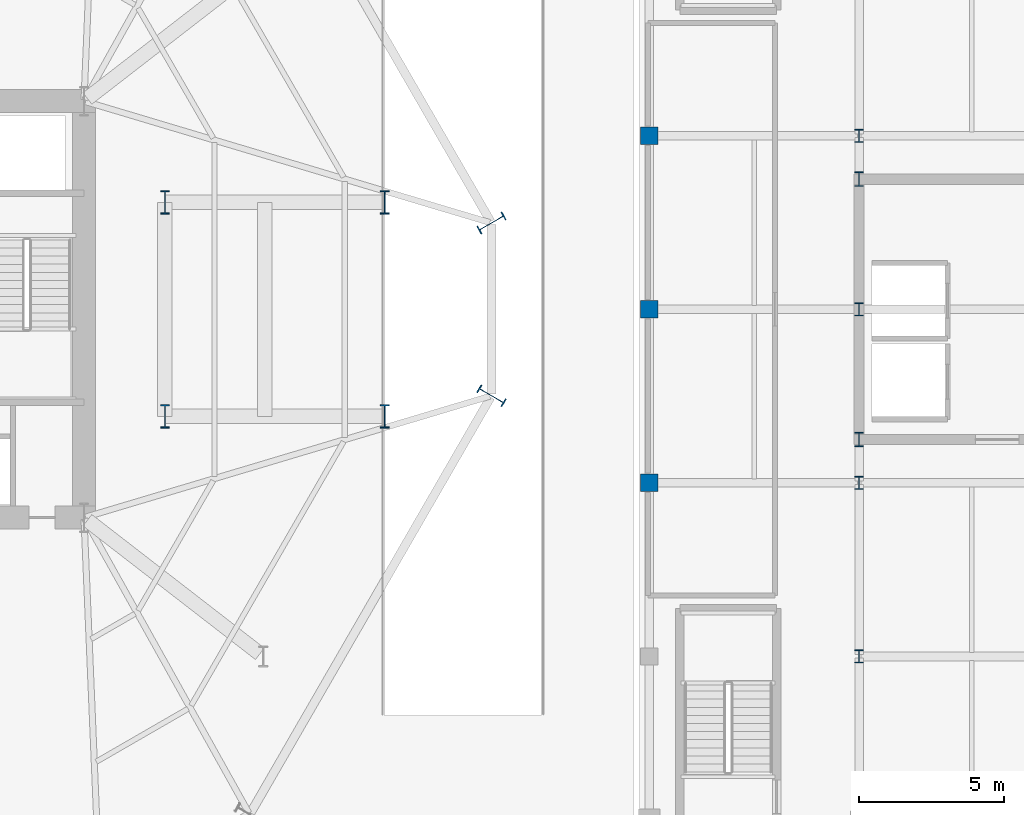
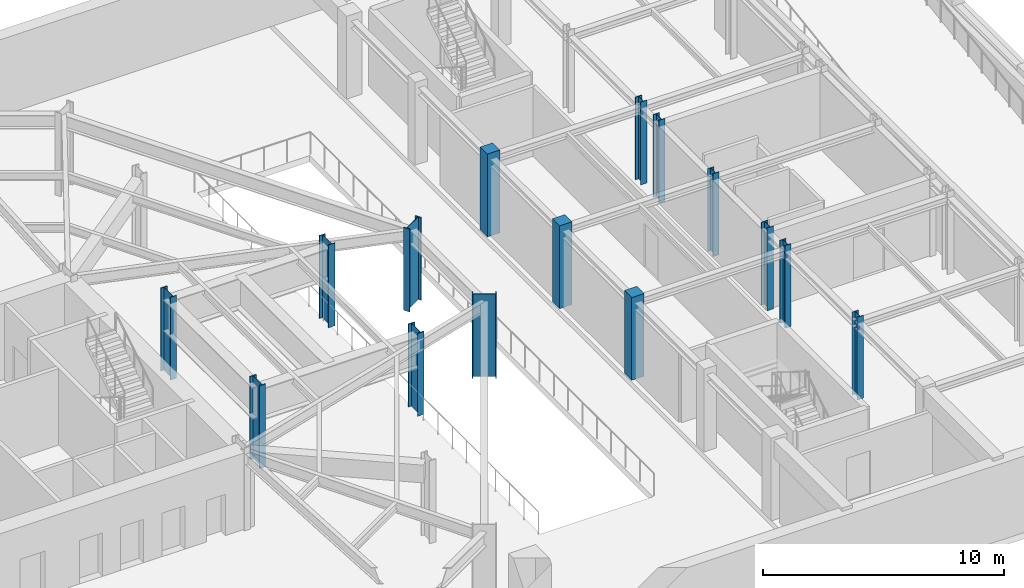
# One storey, part 2 of 12: 15 columns.
"""IFC4 building model written with IfcOpenShell, lengths in metres."""

from ifc_helpers import new_model, si_unit, direction, frame, origin, origin_2d, place, context, subcontext, project, spatial, rectangle, i_section, extrude, material, material_profile, profile_set, type_object, element, save


model = new_model("IFC4")

# Units and contexts
model_context = context("Model", 3, precision=1e-05, world=origin(), true_north=direction((0.0, 1.0)))
body_context = subcontext(model_context, "Body", "Model", "MODEL_VIEW")
ifc_project = project(units=[si_unit("LENGTHUNIT", "METRE"), si_unit("AREAUNIT", "SQUARE_METRE"), si_unit("VOLUMEUNIT", "CUBIC_METRE"), si_unit("PLANEANGLEUNIT", "RADIAN"), si_unit("MASSUNIT", "GRAM", prefix="KILO")], contexts=[model_context])

# Site, building, storey
site_placement = place(None, origin())
site = spatial("IfcSite", under=ifc_project, at=site_placement, CompositionType="ELEMENT")
building_placement = place(site_placement, origin())
building = spatial("IfcBuilding", under=site, at=building_placement, Name="Kranzbogen Civic Tower", CompositionType="ELEMENT")
storey_placement = place(building_placement, frame((0.0, 0.0, -4.199951171875)))
storey = spatial("IfcBuildingStorey", under=building, at=storey_placement, Name="B01", CompositionType="ELEMENT", Elevation=-4.199951171875)

# Columns
ifc_material_1 = material(Name="Steel S355", Category="steel")
ifc_material_profile_1 = material_profile(ifc_material_1, i_section(OverallWidth=0.300048828125, OverallDepth=0.449951171875, WebThickness=0.013916015625, FlangeThickness=0.02587890625, at=origin_2d()), Name="HEB 450")
ifc_profile_set_1 = profile_set([ifc_material_profile_1], Name="Steel S355")
column_type_1 = type_object("IfcColumnType", Name="Structural Column HEB 450", PredefinedType="COLUMN", material=ifc_profile_set_1)
for number, where, z_axis, x_axis, name in (
    (1, (59.60009765625, 13.0, 0.0), (0.0, 0.0, 1.0), (1.0, 0.0, 0.0), "B01 Health Centre column 11/C"),
    (2, (59.60009765625, 19.0, 0.0), (0.0, 0.0, 1.0), (1.0, 0.0, 0.0), "B01 Health Centre column 11/D"),
    (3, (59.60009765625, 25.0, 0.0), (0.0, 0.0, 1.0), (1.0, 0.0, 0.0), "B01 Health Centre column 11/E"),
    (4, (59.60009765625, 31.0, 0.0), (0.0, 0.0, 1.0), (1.0, 0.0, 0.0), "B01 Health Centre column 11/F"),
):
    element("IfcColumn", number, at=place(storey_placement, frame(where, z_axis=z_axis, x_axis=x_axis)), inside=storey, type_object=column_type_1, Name=name, PredefinedType="COLUMN", context=body_context, shape_type="SweptSolid", body=[
        extrude(i_section(OverallWidth=0.300048828125, OverallDepth=0.449951171875, WebThickness=0.013916015625, FlangeThickness=0.02587890625, at=origin_2d()), origin(), (0.0, 0.0, 1.0), 4.199951171875),
    ])
ifc_material_profile_2 = material_profile(ifc_material_1, i_section(OverallWidth=0.300048828125, OverallDepth=0.5, WebThickness=0.014404296875, FlangeThickness=0.028076171875, at=origin_2d()), Name="HEB 500")
ifc_profile_set_2 = profile_set([ifc_material_profile_2], Name="Steel S355")
column_type_2 = type_object("IfcColumnType", Name="Structural Column HEB 500", PredefinedType="COLUMN", material=ifc_profile_set_2)
for number, where, z_axis, x_axis, name in (
    (5, (59.60009765625, 20.5, 0.0), (0.0, 0.0, 1.0), (1.0, 0.0, 0.0), "B01 Health Centre core corner column 1"),
    (6, (59.60009765625, 29.5, 0.0), (0.0, 0.0, 1.0), (1.0, 0.0, 0.0), "B01 Health Centre core corner column 4"),
):
    element("IfcColumn", number, at=place(storey_placement, frame(where, z_axis=z_axis, x_axis=x_axis)), inside=storey, type_object=column_type_2, Name=name, PredefinedType="COLUMN", context=body_context, shape_type="SweptSolid", body=[
        extrude(i_section(OverallWidth=0.300048828125, OverallDepth=0.5, WebThickness=0.014404296875, FlangeThickness=0.028076171875, at=origin_2d()), origin(), (0.0, 0.0, 1.0), 4.199951171875),
    ])
ifc_material_2 = material(Name="Steel S460", Category="steel")
ifc_material_profile_3 = material_profile(ifc_material_2, i_section(OverallWidth=0.302001953125, OverallDepth=1.008056640625, WebThickness=0.02099609375, FlangeThickness=0.0400390625, at=origin_2d()), Name="HEM 1000")
ifc_profile_set_3 = profile_set([ifc_material_profile_3], Name="Steel S460")
column_type_3 = type_object("IfcColumnType", Name="Structural Column HEM 1000", PredefinedType="COLUMN", material=ifc_profile_set_3)
for number, where, z_axis, x_axis, name in (
    (7, (46.889892578125, 27.986083984375, 0.0), (0.0, 0.0, 1.0), (-0.5, 0.866025403784, 0.0), "B01 tower perimeter tube column 01"),
    (8, (46.889892578125, 22.013916015625, 0.0), (0.0, 0.0, 1.0), (0.5, 0.866025403784, 0.0), "B01 tower perimeter tube column 12"),
):
    element("IfcColumn", number, at=place(storey_placement, frame(where, z_axis=z_axis, x_axis=x_axis)), inside=storey, type_object=column_type_3, Name=name, PredefinedType="COLUMN", context=body_context, shape_type="SweptSolid", body=[
        extrude(i_section(OverallWidth=0.302001953125, OverallDepth=1.008056640625, WebThickness=0.02099609375, FlangeThickness=0.0400390625, at=origin_2d()), origin(), (0.0, 0.0, 1.0), 4.199951171875),
    ])
ifc_material_profile_4 = material_profile(ifc_material_2, i_section(OverallWidth=0.302978515625, OverallDepth=0.81396484375, WebThickness=0.02099609375, FlangeThickness=0.0400390625, at=origin_2d()), Name="HEM 800")
ifc_profile_set_4 = profile_set([ifc_material_profile_4], Name="Steel S460")
column_type_4 = type_object("IfcColumnType", Name="Structural Column HEM 800", PredefinedType="COLUMN", material=ifc_profile_set_4)
for number, where, z_axis, x_axis, name in (
    (9, (35.60009765625, 21.300048828125, 0.0), (0.0, 0.0, 1.0), (1.0, 0.0, 0.0), "B01 STP2 inner support column 1"),
    (10, (43.199951171875, 21.300048828125, 0.0), (0.0, 0.0, 1.0), (1.0, 0.0, 0.0), "B01 STP2 outer support column 1"),
    (11, (35.60009765625, 28.699951171875, 0.0), (0.0, 0.0, 1.0), (1.0, 0.0, 0.0), "B01 STP2 inner support column 2"),
    (12, (43.199951171875, 28.699951171875, 0.0), (0.0, 0.0, 1.0), (1.0, 0.0, 0.0), "B01 STP2 outer support column 2"),
):
    element("IfcColumn", number, at=place(storey_placement, frame(where, z_axis=z_axis, x_axis=x_axis)), inside=storey, type_object=column_type_4, Name=name, PredefinedType="COLUMN", context=body_context, shape_type="SweptSolid", body=[
        extrude(i_section(OverallWidth=0.302978515625, OverallDepth=0.81396484375, WebThickness=0.02099609375, FlangeThickness=0.0400390625, at=origin_2d()), origin(), (0.0, 0.0, 1.0), 4.199951171875),
    ])
ifc_material_3 = material(Name="Concrete C40/50", Category="concrete")
ifc_material_profile_5 = material_profile(ifc_material_3, rectangle(XDim=0.60009765625, YDim=0.60009765625, at=origin_2d()), Name="RC 600x600")
ifc_profile_set_5 = profile_set([ifc_material_profile_5], Name="Concrete C40/50")
column_type_5 = type_object("IfcColumnType", Name="Structural Column RC 600x600", PredefinedType="COLUMN", material=ifc_profile_set_5)
for number, where, z_axis, x_axis, name in (
    (13, (52.35009765625, 19.0, 0.0), (0.0, 0.0, 1.0), (1.0, 0.0, 0.0), "B01 Health Centre column 10/D"),
    (14, (52.35009765625, 25.0, 0.0), (0.0, 0.0, 1.0), (1.0, 0.0, 0.0), "B01 Health Centre column 10/E"),
    (15, (52.35009765625, 31.0, 0.0), (0.0, 0.0, 1.0), (1.0, 0.0, 0.0), "B01 Health Centre column 10/F"),
):
    element("IfcColumn", number, at=place(storey_placement, frame(where, z_axis=z_axis, x_axis=x_axis)), inside=storey, type_object=column_type_5, Name=name, PredefinedType="COLUMN", context=body_context, shape_type="SweptSolid", body=[
        extrude(rectangle(XDim=0.60009765625, YDim=0.60009765625, at=origin_2d()), origin(), (0.0, 0.0, 1.0), 4.199951171875),
    ])

save(model, "model.ifc")
